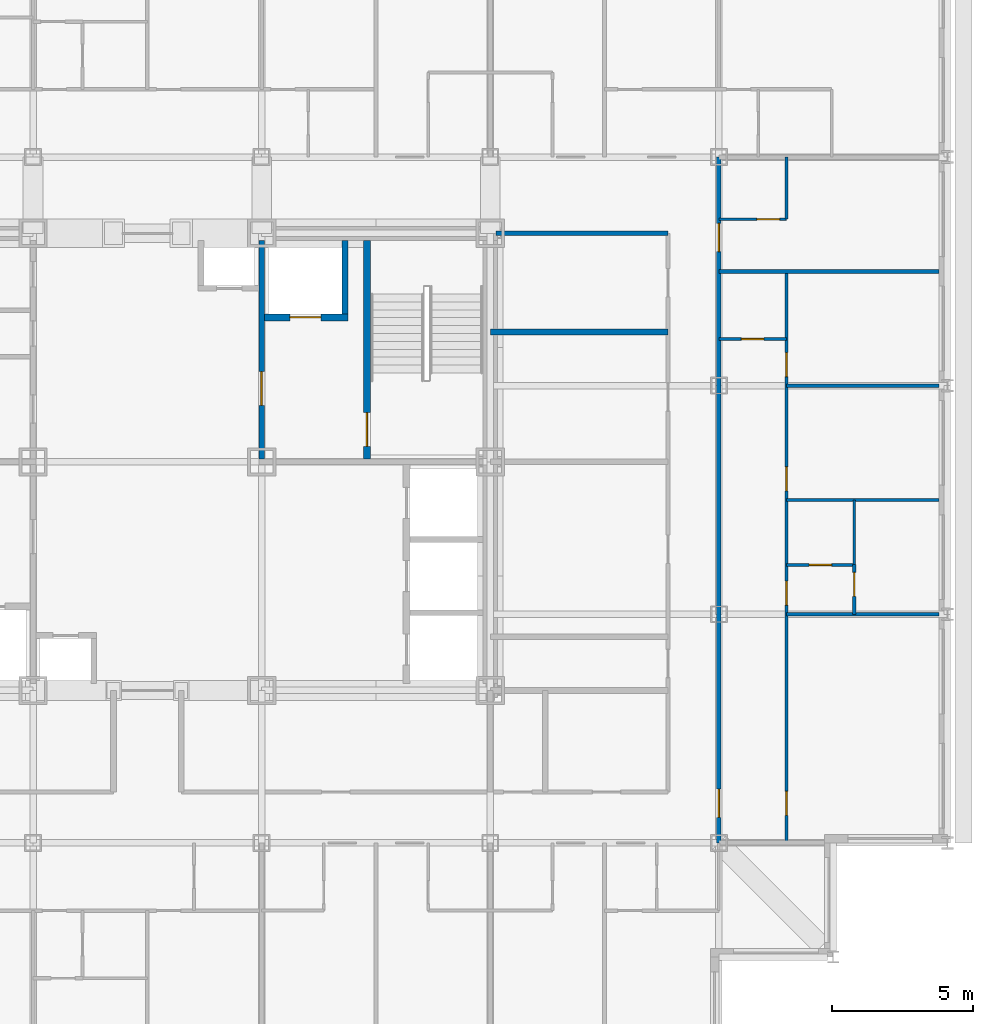
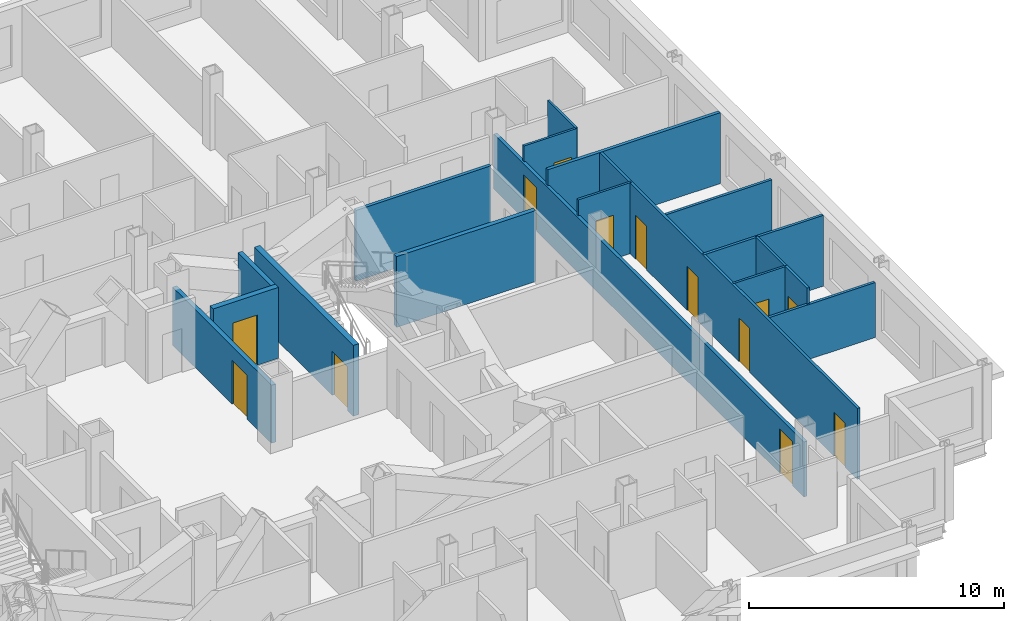
# One storey, part 8 of 12: 18 walls, 13 doors, 13 openings.
"""IFC4 building model written with IfcOpenShell, lengths in metres."""

from ifc_helpers import new_model, si_unit, direction, frame, frame_2d, origin, place, context, subcontext, project, spatial, rectangle, extrude, material, layer, layer_set, type_object, element, fill, save


model = new_model("IFC4")

# Units and contexts
model_context = context("Model", 3, precision=1e-05, world=origin(), true_north=direction((0.0, 1.0)))
body_context = subcontext(model_context, "Body", "Model", "MODEL_VIEW")
ifc_project = project(units=[si_unit("LENGTHUNIT", "METRE"), si_unit("AREAUNIT", "SQUARE_METRE"), si_unit("VOLUMEUNIT", "CUBIC_METRE"), si_unit("PLANEANGLEUNIT", "RADIAN"), si_unit("MASSUNIT", "GRAM", prefix="KILO")], contexts=[model_context])

# Site, building, storey
site_placement = place(None, origin())
site = spatial("IfcSite", under=ifc_project, at=site_placement, CompositionType="ELEMENT")
building_placement = place(site_placement, origin())
building = spatial("IfcBuilding", under=site, at=building_placement, Name="Kopane Lantern Tower", CompositionType="ELEMENT")
storey_placement = place(building_placement, frame((0.0, 0.0, 220.800048828125)))
storey = spatial("IfcBuildingStorey", under=building, at=storey_placement, Name="L57", CompositionType="ELEMENT", Elevation=220.800048828125)

# Wall, openings, doors
ifc_material_1 = material(Name="Gypsum board on steel studs", Category="steel")
ifc_layer_1 = layer(ifc_material_1, 0.1201171875)
ifc_layer_set_1 = layer_set([ifc_layer_1], Name="APARTMENT INTERNAL WALL 120")
wall_type_1 = type_object("IfcWallType", Name="APARTMENT INTERNAL WALL 120", PredefinedType="PARTITIONING", material=ifc_layer_set_1)
wall_1_placement = place(storey_placement, frame((51.0, 18.89990234375, 0.0), z_axis=(0.0, 0.0, 1.0), x_axis=(0.0, 1.0, 0.0)))
wall_1 = element("IfcWall", 1, at=wall_1_placement, inside=storey, type_object=wall_type_1, Name="Apartment Internal Wall 120 L57", PredefinedType="PARTITIONING", context=body_context, shape_type="SweptSolid", body=[
    extrude(rectangle(XDim=20.25, YDim=0.1201171875, at=frame_2d((10.125, 0.0))), origin(), (0.0, 0.0, 1.0), 3.389892578125),
])
opening_1_placement = place(wall_1_placement, frame((0.97509765625, 0.0, 0.0)))
opening_1 = element("IfcOpeningElement", 2, at=opening_1_placement, cuts=wall_1, Name="Opening L57-047", PredefinedType="OPENING", context=body_context, shape_type="SweptSolid", body=[
    extrude(rectangle(XDim=0.85009765625, YDim=2.10009765625, at=frame_2d((0.425048828125, 1.050048828125))), frame((0.0, 0.070068359375, 0.0), z_axis=(0.0, -1.0, 0.0), x_axis=(1.0, 0.0, 0.0)), (0.0, 0.0, 1.0), 0.14013671875),
])
opening_2_placement = place(wall_1_placement, frame((8.425048828125, 0.0, 0.0)))
opening_2 = element("IfcOpeningElement", 3, at=opening_2_placement, cuts=wall_1, Name="Opening L57-049", PredefinedType="OPENING", context=body_context, shape_type="SweptSolid", body=[
    extrude(rectangle(XDim=0.85009765625, YDim=2.10009765625, at=frame_2d((0.425048828125, 1.050048828125))), frame((0.0, 0.070068359375, 0.0), z_axis=(0.0, -1.0, 0.0), x_axis=(1.0, 0.0, 0.0)), (0.0, 0.0, 1.0), 0.14013671875),
])
opening_3_placement = place(wall_1_placement, frame((12.47509765625, 0.0, 0.0)))
opening_3 = element("IfcOpeningElement", 4, at=opening_3_placement, cuts=wall_1, Name="Opening L57-050", PredefinedType="OPENING", context=body_context, shape_type="SweptSolid", body=[
    extrude(rectangle(XDim=0.85009765625, YDim=2.10009765625, at=frame_2d((0.425048828125, 1.050048828125))), frame((0.0, 0.070068359375, 0.0), z_axis=(0.0, -1.0, 0.0), x_axis=(1.0, 0.0, 0.0)), (0.0, 0.0, 1.0), 0.14013671875),
])
opening_4_placement = place(wall_1_placement, frame((16.52490234375, 0.0, 0.0)))
opening_4 = element("IfcOpeningElement", 5, at=opening_4_placement, cuts=wall_1, Name="Opening L57-051", PredefinedType="OPENING", context=body_context, shape_type="SweptSolid", body=[
    extrude(rectangle(XDim=0.85009765625, YDim=2.10009765625, at=frame_2d((0.425048828125, 1.050048828125))), frame((0.0, 0.070068359375, 0.0), z_axis=(0.0, -1.0, 0.0), x_axis=(1.0, 0.0, 0.0)), (0.0, 0.0, 1.0), 0.14013671875),
])
ifc_material_2 = material(Name="Timber door set", Category="wood")
door_type_1 = type_object("IfcDoorType", Name="DOOR D4 850x2100", OperationType="SINGLE_SWING_LEFT", PredefinedType="DOOR", material=ifc_material_2)
door_1_placement = place(opening_1_placement, origin())
door_1 = element("IfcDoor", 6, at=door_1_placement, inside=storey, type_object=door_type_1, Name="Door L57-047", OperationType="SINGLE_SWING_LEFT", OverallHeight=2.10009765625, OverallWidth=0.85009765625, PredefinedType="DOOR", context=body_context, shape_type="SweptSolid", body=[
    extrude(rectangle(XDim=0.85009765625, YDim=2.10009765625, at=frame_2d((0.425048828125, 1.050048828125))), frame((0.0, 0.02490234375, 0.0), z_axis=(0.0, -1.0, 0.0), x_axis=(1.0, 0.0, 0.0)), (0.0, 0.0, 1.0), 0.050048828125),
])
fill(opening_1, door_1)
door_2_placement = place(opening_2_placement, origin())
door_2 = element("IfcDoor", 7, at=door_2_placement, inside=storey, type_object=door_type_1, Name="Door L57-049", OperationType="SINGLE_SWING_RIGHT", OverallHeight=2.10009765625, OverallWidth=0.85009765625, PredefinedType="DOOR", context=body_context, shape_type="SweptSolid", body=[
    extrude(rectangle(XDim=0.85009765625, YDim=2.10009765625, at=frame_2d((0.425048828125, 1.050048828125))), frame((0.0, 0.02490234375, 0.0), z_axis=(0.0, -1.0, 0.0), x_axis=(1.0, 0.0, 0.0)), (0.0, 0.0, 1.0), 0.050048828125),
])
fill(opening_2, door_2)
door_3_placement = place(opening_3_placement, origin())
door_3 = element("IfcDoor", 8, at=door_3_placement, inside=storey, type_object=door_type_1, Name="Door L57-050", OperationType="SINGLE_SWING_RIGHT", OverallHeight=2.10009765625, OverallWidth=0.85009765625, PredefinedType="DOOR", context=body_context, shape_type="SweptSolid", body=[
    extrude(rectangle(XDim=0.85009765625, YDim=2.10009765625, at=frame_2d((0.425048828125, 1.050048828125))), frame((0.0, 0.02490234375, 0.0), z_axis=(0.0, -1.0, 0.0), x_axis=(1.0, 0.0, 0.0)), (0.0, 0.0, 1.0), 0.050048828125),
])
fill(opening_3, door_3)
door_4_placement = place(opening_4_placement, origin())
door_4 = element("IfcDoor", 9, at=door_4_placement, inside=storey, type_object=door_type_1, Name="Door L57-051", OperationType="SINGLE_SWING_RIGHT", OverallHeight=2.10009765625, OverallWidth=0.85009765625, PredefinedType="DOOR", context=body_context, shape_type="SweptSolid", body=[
    extrude(rectangle(XDim=0.85009765625, YDim=2.10009765625, at=frame_2d((0.425048828125, 1.050048828125))), frame((0.0, 0.02490234375, 0.0), z_axis=(0.0, -1.0, 0.0), x_axis=(1.0, 0.0, 0.0)), (0.0, 0.0, 1.0), 0.050048828125),
])
fill(opening_4, door_4)

# Walls
wall_2_placement = place(storey_placement, frame((51.0, 27.0, 0.0), z_axis=(0.0, 0.0, 1.0), x_axis=(1.0, 0.0, 0.0)))
element("IfcWall", 10, at=wall_2_placement, inside=storey, type_object=wall_type_1, Name="Apartment Internal Wall 120 L57", PredefinedType="PARTITIONING", context=body_context, shape_type="SweptSolid", body=[
    extrude(rectangle(XDim=5.39990234375, YDim=0.1201171875, at=frame_2d((2.699951171875, 0.0))), origin(), (0.0, 0.0, 1.0), 2.627685546875),
])
wall_3_placement = place(storey_placement, frame((51.0, 31.050048828125, 0.0), z_axis=(0.0, 0.0, 1.0), x_axis=(1.0, 0.0, 0.0)))
element("IfcWall", 11, at=wall_3_placement, inside=storey, type_object=wall_type_1, Name="Apartment Internal Wall 120 L57", PredefinedType="PARTITIONING", context=body_context, shape_type="SweptSolid", body=[
    extrude(rectangle(XDim=5.39990234375, YDim=0.1201171875, at=frame_2d((2.699951171875, 0.0))), origin(), (0.0, 0.0, 1.0), 3.389892578125),
])
wall_4_placement = place(storey_placement, frame((51.0, 35.10009765625, 0.0), z_axis=(0.0, 0.0, 1.0), x_axis=(1.0, 0.0, 0.0)))
element("IfcWall", 12, at=wall_4_placement, inside=storey, type_object=wall_type_1, Name="Apartment Internal Wall 120 L57", PredefinedType="PARTITIONING", context=body_context, shape_type="SweptSolid", body=[
    extrude(rectangle(XDim=5.39990234375, YDim=0.1201171875, at=frame_2d((2.699951171875, 0.0))), origin(), (0.0, 0.0, 1.0), 2.627685546875),
])

# Wall, opening, door
wall_5_placement = place(storey_placement, frame((53.39990234375, 28.760009765625, 0.0), z_axis=(0.0, 0.0, 1.0), x_axis=(0.0, -1.0, 0.0)))
wall_5 = element("IfcWall", 13, at=wall_5_placement, inside=storey, type_object=wall_type_1, Name="Apartment Internal Wall 120 L57", PredefinedType="PARTITIONING", context=body_context, shape_type="SweptSolid", body=[
    extrude(rectangle(XDim=1.760009765625, YDim=0.1201171875, at=frame_2d((0.8798828125, 0.0))), origin(), (0.0, 0.0, 1.0), 3.389892578125),
])
opening_5_placement = place(wall_5_placement, frame((0.27490234375, 0.0, 0.0)))
opening_5 = element("IfcOpeningElement", 14, at=opening_5_placement, cuts=wall_5, Name="Opening L57-072", PredefinedType="OPENING", context=body_context, shape_type="SweptSolid", body=[
    extrude(rectangle(XDim=0.85009765625, YDim=2.10009765625, at=frame_2d((0.425048828125, 1.050048828125))), frame((0.0, 0.070068359375, 0.0), z_axis=(0.0, -1.0, 0.0), x_axis=(1.0, 0.0, 0.0)), (0.0, 0.0, 1.0), 0.14013671875),
])
door_5_placement = place(opening_5_placement, origin())
door_5 = element("IfcDoor", 15, at=door_5_placement, inside=storey, type_object=door_type_1, Name="Door L57-072", OperationType="SINGLE_SWING_RIGHT", OverallHeight=2.10009765625, OverallWidth=0.85009765625, PredefinedType="DOOR", context=body_context, shape_type="SweptSolid", body=[
    extrude(rectangle(XDim=0.85009765625, YDim=2.10009765625, at=frame_2d((0.425048828125, 1.050048828125))), frame((0.0, 0.02490234375, 0.0), z_axis=(0.0, -1.0, 0.0), x_axis=(1.0, 0.0, 0.0)), (0.0, 0.0, 1.0), 0.050048828125),
])
fill(opening_5, door_5)

ifc_material_3 = material(Name="Moisture-resistant board on steel studs", Category="steel")
ifc_layer_2 = layer(ifc_material_3, 0.10009765625)
ifc_layer_set_2 = layer_set([ifc_layer_2], Name="BATHROOM WALL 100")
wall_type_2 = type_object("IfcWallType", Name="BATHROOM WALL 100", PredefinedType="PARTITIONING", material=ifc_layer_set_2)
wall_6_placement = place(storey_placement, frame((48.60009765625, 36.75, 0.0), z_axis=(0.0, 0.0, 1.0), x_axis=(1.0, 0.0, 0.0)))
wall_6 = element("IfcWall", 16, at=wall_6_placement, inside=storey, type_object=wall_type_2, Name="Bathroom Wall 100 L57", PredefinedType="PARTITIONING", context=body_context, shape_type="SweptSolid", body=[
    extrude(rectangle(XDim=2.39990234375, YDim=0.10009765625, at=frame_2d((1.199951171875, 0.0))), origin(), (0.0, 0.0, 1.0), 3.389892578125),
])
opening_6_placement = place(wall_6_placement, frame((0.800048828125, 0.0, 0.0)))
opening_6 = element("IfcOpeningElement", 17, at=opening_6_placement, cuts=wall_6, Name="Opening L57-045", PredefinedType="OPENING", context=body_context, shape_type="SweptSolid", body=[
    extrude(rectangle(XDim=0.800048828125, YDim=2.10009765625, at=frame_2d((0.39990234375, 1.050048828125))), frame((0.0, 0.06005859375, 0.0), z_axis=(0.0, -1.0, 0.0), x_axis=(1.0, 0.0, 0.0)), (0.0, 0.0, 1.0), 0.1201171875),
])
ifc_material_4 = material(Name="Timber door set", Category="wood")
door_type_2 = type_object("IfcDoorType", Name="DOOR D2 800x2100", OperationType="SINGLE_SWING_LEFT", PredefinedType="DOOR", material=ifc_material_4)
door_6_placement = place(opening_6_placement, origin())
door_6 = element("IfcDoor", 18, at=door_6_placement, inside=storey, type_object=door_type_2, Name="Door L57-045", OperationType="SINGLE_SWING_LEFT", OverallHeight=2.10009765625, OverallWidth=0.800048828125, PredefinedType="DOOR", context=body_context, shape_type="SweptSolid", body=[
    extrude(rectangle(XDim=0.800048828125, YDim=2.10009765625, at=frame_2d((0.39990234375, 1.050048828125))), frame((0.0, 0.02490234375, 0.0), z_axis=(0.0, -1.0, 0.0), x_axis=(1.0, 0.0, 0.0)), (0.0, 0.0, 1.0), 0.050048828125),
])
fill(opening_6, door_6)

wall_7_placement = place(storey_placement, frame((51.0, 28.75, 0.0), z_axis=(0.0, 0.0, 1.0), x_axis=(1.0, 0.0, 0.0)))
wall_7 = element("IfcWall", 19, at=wall_7_placement, inside=storey, type_object=wall_type_2, Name="Bathroom Wall 100 L57", PredefinedType="PARTITIONING", context=body_context, shape_type="SweptSolid", body=[
    extrude(rectangle(XDim=2.39990234375, YDim=0.10009765625, at=frame_2d((1.199951171875, 0.0))), origin(), (0.0, 0.0, 1.0), 3.389892578125),
])
opening_7_placement = place(wall_7_placement, frame((0.800048828125, 0.0, 0.0)))
opening_7 = element("IfcOpeningElement", 20, at=opening_7_placement, cuts=wall_7, Name="Opening L57-048", PredefinedType="OPENING", context=body_context, shape_type="SweptSolid", body=[
    extrude(rectangle(XDim=0.800048828125, YDim=2.10009765625, at=frame_2d((0.39990234375, 1.050048828125))), frame((0.0, 0.06005859375, 0.0), z_axis=(0.0, -1.0, 0.0), x_axis=(1.0, 0.0, 0.0)), (0.0, 0.0, 1.0), 0.1201171875),
])
door_7_placement = place(opening_7_placement, origin())
door_7 = element("IfcDoor", 21, at=door_7_placement, inside=storey, type_object=door_type_2, Name="Door L57-048", OperationType="SINGLE_SWING_LEFT", OverallHeight=2.10009765625, OverallWidth=0.800048828125, PredefinedType="DOOR", context=body_context, shape_type="SweptSolid", body=[
    extrude(rectangle(XDim=0.800048828125, YDim=2.10009765625, at=frame_2d((0.39990234375, 1.050048828125))), frame((0.0, 0.02490234375, 0.0), z_axis=(0.0, -1.0, 0.0), x_axis=(1.0, 0.0, 0.0)), (0.0, 0.0, 1.0), 0.050048828125),
])
fill(opening_7, door_7)

# Walls
wall_8_placement = place(storey_placement, frame((53.39990234375, 28.75, 0.0), z_axis=(0.0, 0.0, 1.0), x_axis=(0.0, 1.0, 0.0)))
element("IfcWall", 22, at=wall_8_placement, inside=storey, type_object=wall_type_2, Name="Bathroom Wall 100 L57", PredefinedType="PARTITIONING", context=body_context, shape_type="SweptSolid", body=[
    extrude(rectangle(XDim=2.300048828125, YDim=0.10009765625, at=frame_2d((1.14990234375, 0.0))), origin(), (0.0, 0.0, 1.0), 3.389892578125),
])
wall_9_placement = place(storey_placement, frame((51.0, 41.0, 0.0), z_axis=(0.0, 0.0, 1.0), x_axis=(0.0, 1.0, 0.0)))
element("IfcWall", 23, at=wall_9_placement, inside=storey, type_object=wall_type_2, Name="Bathroom Wall 100 L57", PredefinedType="PARTITIONING", context=body_context, shape_type="SweptSolid", body=[
    extrude(rectangle(XDim=2.199951171875, YDim=0.10009765625, at=frame_2d((1.10009765625, 0.0))), origin(), (0.0, 0.0, 1.0), 3.389892578125),
])

# Wall, opening, door
wall_10_placement = place(storey_placement, frame((48.60009765625, 41.0, 0.0), z_axis=(0.0, 0.0, 1.0), x_axis=(1.0, 0.0, 0.0)))
wall_10 = element("IfcWall", 24, at=wall_10_placement, inside=storey, type_object=wall_type_2, Name="Bathroom Wall 100 L57", PredefinedType="PARTITIONING", context=body_context, shape_type="SweptSolid", body=[
    extrude(rectangle(XDim=2.39990234375, YDim=0.10009765625, at=frame_2d((1.199951171875, 0.0))), origin(), (0.0, 0.0, 1.0), 3.389892578125),
])
opening_8_placement = place(wall_10_placement, frame((1.35009765625, 0.0, 0.0)))
opening_8 = element("IfcOpeningElement", 25, at=opening_8_placement, cuts=wall_10, Name="Opening L57-052", PredefinedType="OPENING", context=body_context, shape_type="SweptSolid", body=[
    extrude(rectangle(XDim=0.800048828125, YDim=2.10009765625, at=frame_2d((0.39990234375, 1.050048828125))), frame((0.0, 0.06005859375, 0.0), z_axis=(0.0, -1.0, 0.0), x_axis=(1.0, 0.0, 0.0)), (0.0, 0.0, 1.0), 0.1201171875),
])
door_8_placement = place(opening_8_placement, origin())
door_8 = element("IfcDoor", 26, at=door_8_placement, inside=storey, type_object=door_type_2, Name="Door L57-052", OperationType="SINGLE_SWING_RIGHT", OverallHeight=2.10009765625, OverallWidth=0.800048828125, PredefinedType="DOOR", context=body_context, shape_type="SweptSolid", body=[
    extrude(rectangle(XDim=0.800048828125, YDim=2.10009765625, at=frame_2d((0.39990234375, 1.050048828125))), frame((0.0, 0.02490234375, 0.0), z_axis=(0.0, -1.0, 0.0), x_axis=(1.0, 0.0, 0.0)), (0.0, 0.0, 1.0), 0.050048828125),
])
fill(opening_8, door_8)

ifc_material_5 = material(Name="Gypsum shaft wall EI 120", Category="gypsum")
ifc_layer_3 = layer(ifc_material_5, 0.25)
ifc_layer_set_3 = layer_set([ifc_layer_3], Name="CORE SHAFT WALL 250 EI 120")
wall_type_3 = type_object("IfcWallType", Name="CORE SHAFT WALL 250 EI 120", PredefinedType="SOLIDWALL", material=ifc_layer_set_3)
wall_11_placement = place(storey_placement, frame((36.125, 32.5, 0.0), z_axis=(0.0, 0.0, 1.0), x_axis=(0.0, 1.0, 0.0)))
wall_11 = element("IfcWall", 27, at=wall_11_placement, inside=storey, type_object=wall_type_3, Name="Core shaft wall L57 XST2", PredefinedType="SOLIDWALL", context=body_context, shape_type="SweptSolid", body=[
    extrude(rectangle(XDim=7.75, YDim=0.25, at=frame_2d((3.875, 0.0))), origin(), (0.0, 0.0, 1.0), 3.389892578125),
])
opening_9_placement = place(wall_11_placement, frame((0.449951171875, 0.0, 0.0)))
opening_9 = element("IfcOpeningElement", 28, at=opening_9_placement, cuts=wall_11, Name="Opening 57.SD2", PredefinedType="OPENING", context=body_context, shape_type="SweptSolid", body=[
    extrude(rectangle(XDim=1.199951171875, YDim=2.10009765625, at=frame_2d((0.60009765625, 1.050048828125))), frame((0.0, 0.135009765625, 0.0), z_axis=(0.0, -1.0, 0.0), x_axis=(1.0, 0.0, 0.0)), (0.0, 0.0, 1.0), 0.27001953125),
])
ifc_material_6 = material(Name="Steel door set", Category="steel")
door_type_3 = type_object("IfcDoorType", Name="STAIR DOOR 1200x2100 FD60S", OperationType="SINGLE_SWING_LEFT", PredefinedType="DOOR", material=ifc_material_6)
door_9_placement = place(opening_9_placement, origin())
door_9 = element("IfcDoor", 29, at=door_9_placement, inside=storey, type_object=door_type_3, Name="Stair door ST2 L57", OperationType="SINGLE_SWING_RIGHT", OverallHeight=2.10009765625, OverallWidth=1.199951171875, PredefinedType="DOOR", context=body_context, shape_type="SweptSolid", body=[
    extrude(rectangle(XDim=1.199951171875, YDim=2.10009765625, at=frame_2d((0.60009765625, 1.050048828125))), frame((0.0, 0.02490234375, 0.0), z_axis=(0.0, -1.0, 0.0), x_axis=(1.0, 0.0, 0.0)), (0.0, 0.0, 1.0), 0.050048828125),
])
fill(opening_9, door_9)

wall_12_placement = place(storey_placement, frame((32.5, 37.52490234375, 0.0), z_axis=(0.0, 0.0, 1.0), x_axis=(1.0, 0.0, 0.0)))
wall_12 = element("IfcWall", 30, at=wall_12_placement, inside=storey, type_object=wall_type_3, Name="Core shaft wall L57 YLF2", PredefinedType="SOLIDWALL", context=body_context, shape_type="SweptSolid", body=[
    extrude(rectangle(XDim=2.949951171875, YDim=0.25, at=frame_2d((1.47509765625, 0.0))), origin(), (0.0, 0.0, 1.0), 3.389892578125),
])
opening_10_placement = place(wall_12_placement, frame((0.89990234375, 0.0, 0.0)))
opening_10 = element("IfcOpeningElement", 31, at=opening_10_placement, cuts=wall_12, Name="Opening 57.LD-LF2", PredefinedType="OPENING", context=body_context, shape_type="SweptSolid", body=[
    extrude(rectangle(XDim=1.10009765625, YDim=2.39990234375, at=frame_2d((0.550048828125, 1.199951171875))), frame((0.0, 0.135009765625, 0.0), z_axis=(0.0, -1.0, 0.0), x_axis=(1.0, 0.0, 0.0)), (0.0, 0.0, 1.0), 0.27001953125),
])
ifc_material_7 = material(Name="Steel door set", Category="steel")
door_type_4 = type_object("IfcDoorType", Name="LIFT LANDING DOOR 1100x2400 FD60", OperationType="DOUBLE_DOOR_SLIDING", PredefinedType="DOOR", material=ifc_material_7)
door_10_placement = place(opening_10_placement, origin())
door_10 = element("IfcDoor", 32, at=door_10_placement, inside=storey, type_object=door_type_4, Name="Landing door LF2 L57", OperationType="DOUBLE_DOOR_SLIDING", OverallHeight=2.39990234375, OverallWidth=1.10009765625, PredefinedType="DOOR", context=body_context, shape_type="SweptSolid", body=[
    extrude(rectangle(XDim=1.10009765625, YDim=2.39990234375, at=frame_2d((0.550048828125, 1.199951171875))), frame((0.0, 0.02490234375, 0.0), z_axis=(0.0, -1.0, 0.0), x_axis=(1.0, 0.0, 0.0)), (0.0, 0.0, 1.0), 0.050048828125),
])
fill(opening_10, door_10)

# Wall, openings, doors
ifc_material_8 = material(Name="Gypsum board on steel studs", Category="steel")
ifc_layer_4 = layer(ifc_material_8, 0.14990234375)
ifc_layer_set_4 = layer_set([ifc_layer_4], Name="CORRIDOR WALL 150 EI 60")
wall_type_4 = type_object("IfcWallType", Name="CORRIDOR WALL 150 EI 60", PredefinedType="PARTITIONING", material=ifc_layer_set_4)
wall_13_placement = place(storey_placement, frame((48.60009765625, 18.89990234375, 0.0), z_axis=(0.0, 0.0, 1.0), x_axis=(0.0, 1.0, 0.0)))
wall_13 = element("IfcWall", 33, at=wall_13_placement, inside=storey, type_object=wall_type_4, Name="Corridor Wall 150 Ei 60 L57", PredefinedType="PARTITIONING", context=body_context, shape_type="SweptSolid", body=[
    extrude(rectangle(XDim=24.300048828125, YDim=0.14990234375, at=frame_2d((12.14990234375, 0.0))), origin(), (0.0, 0.0, 1.0), 2.627685546875),
])
opening_11_placement = place(wall_13_placement, frame((0.89990234375, 0.0, 0.0)))
opening_11 = element("IfcOpeningElement", 34, at=opening_11_placement, cuts=wall_13, Name="Opening L57-046", PredefinedType="OPENING", context=body_context, shape_type="SweptSolid", body=[
    extrude(rectangle(XDim=1.0, YDim=2.10009765625, at=frame_2d((0.5, 1.050048828125))), frame((0.0, 0.0849609375, 0.0), z_axis=(0.0, -1.0, 0.0), x_axis=(1.0, 0.0, 0.0)), (0.0, 0.0, 1.0), 0.169921875),
])
opening_12_placement = place(wall_13_placement, frame((20.949951171875, 0.0, 0.0)))
opening_12 = element("IfcOpeningElement", 35, at=opening_12_placement, cuts=wall_13, Name="Opening L57-053", PredefinedType="OPENING", context=body_context, shape_type="SweptSolid", body=[
    extrude(rectangle(XDim=1.0, YDim=2.10009765625, at=frame_2d((0.5, 1.050048828125))), frame((0.0, 0.0849609375, 0.0), z_axis=(0.0, -1.0, 0.0), x_axis=(1.0, 0.0, 0.0)), (0.0, 0.0, 1.0), 0.169921875),
])
ifc_material_9 = material(Name="Steel door set", Category="steel")
door_type_5 = type_object("IfcDoorType", Name="DOOR D3 1000x2100 FD30S", OperationType="SINGLE_SWING_LEFT", PredefinedType="DOOR", material=ifc_material_9)
door_11_placement = place(opening_11_placement, origin())
door_11 = element("IfcDoor", 36, at=door_11_placement, inside=storey, type_object=door_type_5, Name="Door L57-046", OperationType="SINGLE_SWING_RIGHT", OverallHeight=2.10009765625, OverallWidth=1.0, PredefinedType="DOOR", context=body_context, shape_type="SweptSolid", body=[
    extrude(rectangle(XDim=1.0, YDim=2.10009765625, at=frame_2d((0.5, 1.050048828125))), frame((0.0, 0.02490234375, 0.0), z_axis=(0.0, -1.0, 0.0), x_axis=(1.0, 0.0, 0.0)), (0.0, 0.0, 1.0), 0.050048828125),
])
fill(opening_11, door_11)
door_12_placement = place(opening_12_placement, origin())
door_12 = element("IfcDoor", 37, at=door_12_placement, inside=storey, type_object=door_type_5, Name="Door L57-053", OperationType="SINGLE_SWING_LEFT", OverallHeight=2.10009765625, OverallWidth=1.0, PredefinedType="DOOR", context=body_context, shape_type="SweptSolid", body=[
    extrude(rectangle(XDim=1.0, YDim=2.10009765625, at=frame_2d((0.5, 1.050048828125))), frame((0.0, 0.02490234375, 0.0), z_axis=(0.0, -1.0, 0.0), x_axis=(1.0, 0.0, 0.0)), (0.0, 0.0, 1.0), 0.050048828125),
])
fill(opening_12, door_12)

# Walls
wall_14_placement = place(storey_placement, frame((46.800048828125, 40.5, 0.0), z_axis=(0.0, 0.0, 1.0), x_axis=(-1.0, 0.0, 0.0)))
element("IfcWall", 38, at=wall_14_placement, inside=storey, type_object=wall_type_4, Name="Corridor Wall 150 Ei 60 L57", PredefinedType="PARTITIONING", context=body_context, shape_type="SweptSolid", body=[
    extrude(rectangle(XDim=6.10009765625, YDim=0.14990234375, at=frame_2d((3.050048828125, 0.0))), origin(), (0.0, 0.0, 1.0), 3.389892578125),
])
ifc_material_10 = material(Name="Gypsum board on steel studs", Category="steel")
ifc_layer_5 = layer(ifc_material_10, 0.14990234375)
ifc_layer_set_5 = layer_set([ifc_layer_5], Name="DEMISING WALL 150 EI 60")
wall_type_5 = type_object("IfcWallType", Name="DEMISING WALL 150 EI 60", PredefinedType="PARTITIONING", material=ifc_layer_set_5)
wall_15_placement = place(storey_placement, frame((48.60009765625, 39.14990234375, 0.0), z_axis=(0.0, 0.0, 1.0), x_axis=(1.0, 0.0, 0.0)))
element("IfcWall", 39, at=wall_15_placement, inside=storey, type_object=wall_type_5, Name="Demising Wall 150 Ei 60 L57", PredefinedType="PARTITIONING", context=body_context, shape_type="SweptSolid", body=[
    extrude(rectangle(XDim=7.7998046875, YDim=0.14990234375, at=frame_2d((3.89990234375, 0.0))), origin(), (0.0, 0.0, 1.0), 3.389892578125),
])
ifc_material_11 = material(Name="Concrete masonry", Category="masonry")
ifc_layer_6 = layer(ifc_material_11, 0.199951171875)
ifc_layer_set_6 = layer_set([ifc_layer_6], Name="PLANT ROOM WALL 200 EI 120")
wall_type_6 = type_object("IfcWallType", Name="PLANT ROOM WALL 200 EI 120", PredefinedType="SOLIDWALL", material=ifc_layer_set_6)
wall_16_placement = place(storey_placement, frame((46.800048828125, 37.003173828125, 0.0), z_axis=(0.0, 0.0, 1.0), x_axis=(-1.0, 0.0, 0.0)))
element("IfcWall", 40, at=wall_16_placement, inside=storey, type_object=wall_type_6, Name="Plant Room Wall 200 Ei 120 L57", PredefinedType="SOLIDWALL", context=body_context, shape_type="SweptSolid", body=[
    extrude(rectangle(XDim=6.300048828125, YDim=0.199951171875, at=frame_2d((3.14990234375, 0.0))), origin(), (0.0, 0.0, 1.0), 3.389892578125),
])

# Wall, opening, door
ifc_material_12 = material(Name="Gypsum shaft wall EI 120", Category="gypsum")
ifc_layer_7 = layer(ifc_material_12, 0.199951171875)
ifc_layer_set_7 = layer_set([ifc_layer_7], Name="SHAFT WALL 200 EI 120")
wall_type_7 = type_object("IfcWallType", Name="SHAFT WALL 200 EI 120", PredefinedType="SOLIDWALL", material=ifc_layer_set_7)
wall_17_placement = place(storey_placement, frame((32.39990234375, 32.5, 0.0), z_axis=(0.0, 0.0, 1.0), x_axis=(0.0, 1.0, 0.0)))
wall_17 = element("IfcWall", 41, at=wall_17_placement, inside=storey, type_object=wall_type_7, Name="Core shaft wall L57 X324", PredefinedType="SOLIDWALL", context=body_context, shape_type="SweptSolid", body=[
    extrude(rectangle(XDim=7.75, YDim=0.199951171875, at=frame_2d((3.875, 0.0))), origin(), (0.0, 0.0, 1.0), 2.77783203125),
])
opening_13_placement = place(wall_17_placement, frame((1.89990234375, 0.0, 0.0)))
opening_13 = element("IfcOpeningElement", 42, at=opening_13_placement, cuts=wall_17, Name="Opening 57.FL2", PredefinedType="OPENING", context=body_context, shape_type="SweptSolid", body=[
    extrude(rectangle(XDim=1.199951171875, YDim=2.10009765625, at=frame_2d((0.60009765625, 1.050048828125))), frame((0.0, 0.10986328125, 0.0), z_axis=(0.0, -1.0, 0.0), x_axis=(1.0, 0.0, 0.0)), (0.0, 0.0, 1.0), 0.219970703125),
])
ifc_material_13 = material(Name="Steel door set", Category="steel")
door_type_6 = type_object("IfcDoorType", Name="FIREFIGHTING LOBBY DOOR 1200x2100 FD60S", OperationType="SINGLE_SWING_RIGHT", PredefinedType="DOOR", material=ifc_material_13)
door_13_placement = place(opening_13_placement, origin())
door_13 = element("IfcDoor", 43, at=door_13_placement, inside=storey, type_object=door_type_6, Name="Firefighting lobby door FL2 L57", OperationType="SINGLE_SWING_LEFT", OverallHeight=2.10009765625, OverallWidth=1.199951171875, PredefinedType="DOOR", context=body_context, shape_type="SweptSolid", body=[
    extrude(rectangle(XDim=1.199951171875, YDim=2.10009765625, at=frame_2d((0.60009765625, 1.050048828125))), frame((0.0, 0.02490234375, 0.0), z_axis=(0.0, -1.0, 0.0), x_axis=(1.0, 0.0, 0.0)), (0.0, 0.0, 1.0), 0.050048828125),
])
fill(opening_13, door_13)

# Wall
wall_18_placement = place(storey_placement, frame((35.35009765625, 37.64990234375, 0.0), z_axis=(0.0, 0.0, 1.0), x_axis=(0.0, 1.0, 0.0)))
element("IfcWall", 44, at=wall_18_placement, inside=storey, type_object=wall_type_7, Name="Core shaft wall L57 XLF2", PredefinedType="SOLIDWALL", context=body_context, shape_type="SweptSolid", body=[
    extrude(rectangle(XDim=2.60009765625, YDim=0.199951171875, at=frame_2d((1.300048828125, 0.0))), origin(), (0.0, 0.0, 1.0), 3.389892578125),
])

save(model, "model.ifc")
